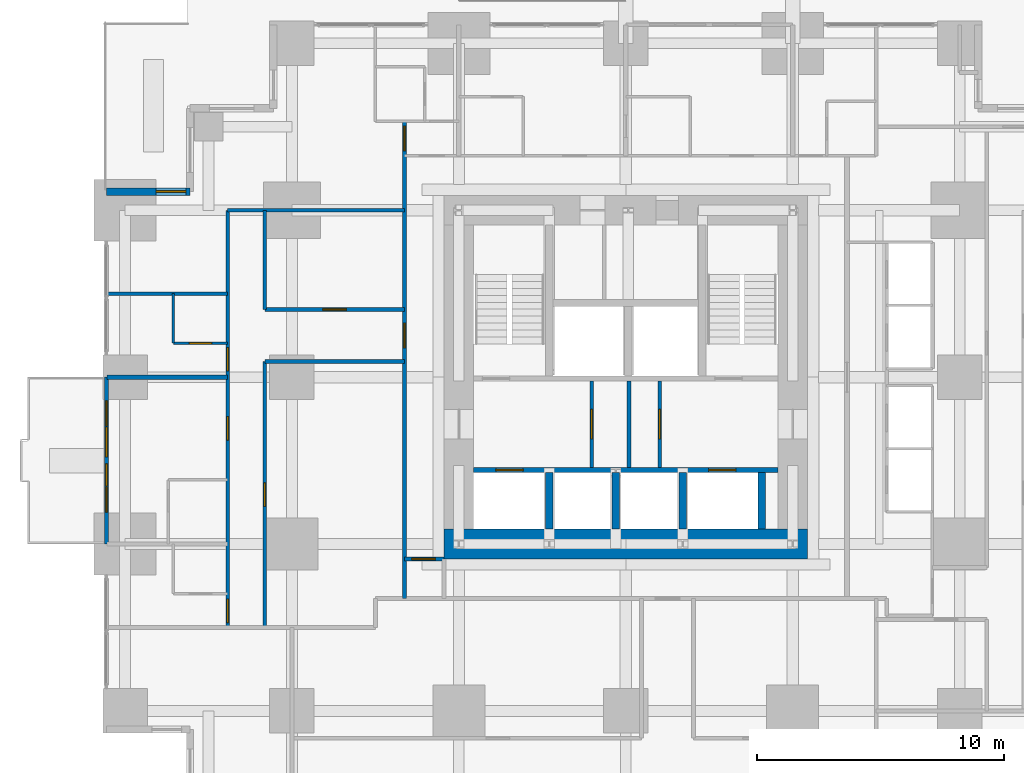
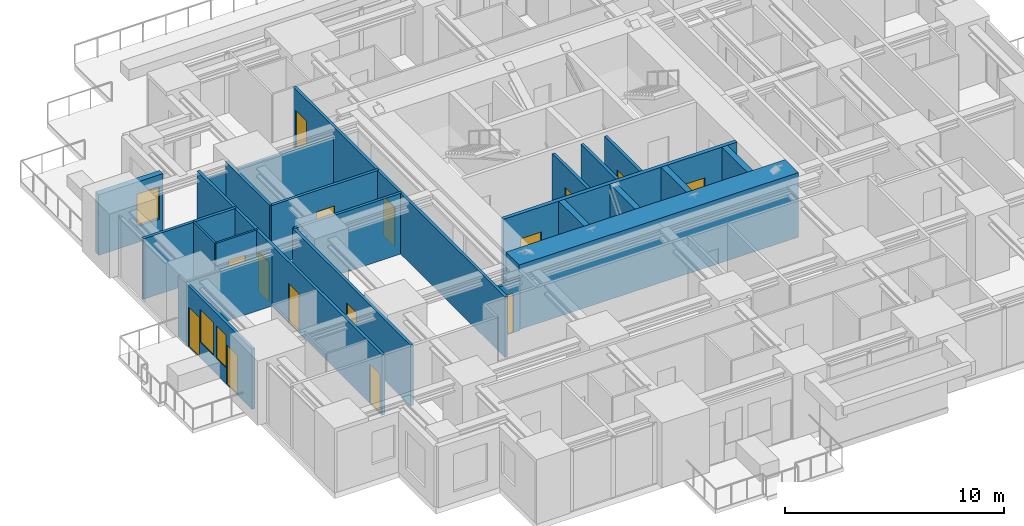
# One storey, part 7 of 12: 23 walls, 15 doors, 3 windows, 18 openings.
"""IFC4 building model written with IfcOpenShell, lengths in metres."""

from ifc_helpers import new_model, si_unit, direction, frame, frame_2d, origin, place, context, subcontext, project, spatial, rectangle, extrude, material, layer, layer_set, type_object, element, fill, save


model = new_model("IFC4")

# Units and contexts
model_context = context("Model", 3, precision=1e-05, world=origin(), true_north=direction((0.0, 1.0)))
body_context = subcontext(model_context, "Body", "Model", "MODEL_VIEW")
ifc_project = project(units=[si_unit("LENGTHUNIT", "METRE"), si_unit("AREAUNIT", "SQUARE_METRE"), si_unit("VOLUMEUNIT", "CUBIC_METRE"), si_unit("PLANEANGLEUNIT", "RADIAN"), si_unit("MASSUNIT", "GRAM", prefix="KILO")], contexts=[model_context])

# Site, building, storey
site_placement = place(None, origin())
site = spatial("IfcSite", under=ifc_project, at=site_placement, CompositionType="ELEMENT")
building_placement = place(site_placement, origin())
building = spatial("IfcBuilding", under=site, at=building_placement, Name="Nyansa Garden Tower", CompositionType="ELEMENT")
storey_placement = place(building_placement, frame((0.0, 0.0, 80.10009765625)))
storey = spatial("IfcBuildingStorey", under=building, at=storey_placement, Name="L21", CompositionType="ELEMENT", Elevation=80.10009765625)

# Wall
ifc_material_1 = material(Name="Dense blockwork, plastered both sides, 55 dB", Category="masonry")
ifc_layer_1 = layer(ifc_material_1, 0.175048828125)
ifc_layer_set_1 = layer_set([ifc_layer_1], Name="Acoustic party wall PW175")
wall_type_1 = type_object("IfcWallType", Name="Acoustic party wall PW175", PredefinedType="PARTITIONING", material=ifc_layer_set_1)
wall_1_placement = place(storey_placement, frame((-0.73388671875, 20.25, 0.0), z_axis=(0.0, 0.0, 1.0), x_axis=(1.0, 0.0, 0.0)))
element("IfcWall", 1, at=wall_1_placement, inside=storey, type_object=wall_type_1, Name="Party wall", PredefinedType="PARTITIONING", context=body_context, shape_type="SweptSolid", body=[
    extrude(rectangle(XDim=4.8837890625, YDim=0.175048828125, at=frame_2d((2.44189453125, 0.0))), origin(), (0.0, 0.0, 1.0), 2.876953125),
])

# Wall, openings, doors, windows
ifc_material_2 = material(Name="Black aluminium framed glazed screen", Category="aluminium")
ifc_layer_2 = layer(ifc_material_2, 0.14990234375)
ifc_layer_set_2 = layer_set([ifc_layer_2], Name="Balcony screen wall BW150")
wall_type_2 = type_object("IfcWallType", Name="Balcony screen wall BW150", PredefinedType="SOLIDWALL", material=ifc_layer_set_2)
wall_2_placement = place(storey_placement, frame((-0.75, 13.5, 0.0), z_axis=(0.0, 0.0, 1.0), x_axis=(0.0, 1.0, 0.0)))
wall_2 = element("IfcWall", 2, at=wall_2_placement, inside=storey, type_object=wall_type_2, Name="Glazed screen wall L21 W", PredefinedType="SOLIDWALL", context=body_context, shape_type="SweptSolid", body=[
    extrude(rectangle(XDim=6.75, YDim=0.14990234375, at=frame_2d((3.375, 0.0))), origin(), (0.0, 0.0, 1.0), 3.375),
])
opening_1_placement = place(wall_2_placement, frame((1.2958984375, 0.0, 0.0)))
opening_1 = element("IfcOpeningElement", 3, at=opening_1_placement, cuts=wall_2, Name="Opening D20", PredefinedType="OPENING", context=body_context, shape_type="SweptSolid", body=[
    extrude(rectangle(XDim=1.0, YDim=2.199951171875, at=frame_2d((0.5, 1.10009765625))), frame((0.0, 0.0849609375, 0.0), z_axis=(0.0, -1.0, 0.0), x_axis=(1.0, 0.0, 0.0)), (0.0, 0.0, 1.0), 0.169921875),
])
opening_2_placement = place(wall_2_placement, frame((2.341552734375, 0.0, 0.89990234375)))
opening_2 = element("IfcOpeningElement", 4, at=opening_2_placement, cuts=wall_2, Name="Opening W7", PredefinedType="OPENING", context=body_context, shape_type="SweptSolid", body=[
    extrude(rectangle(XDim=0.89990234375, YDim=1.800048828125, at=frame_2d((0.449951171875, 0.89990234375))), frame((0.0, 0.0849609375, 0.0), z_axis=(0.0, -1.0, 0.0), x_axis=(1.0, 0.0, 0.0)), (0.0, 0.0, 1.0), 0.169921875),
])
opening_3_placement = place(wall_2_placement, frame((4.78759765625, 0.0, 0.0)))
opening_3 = element("IfcOpeningElement", 5, at=opening_3_placement, cuts=wall_2, Name="Opening D20", PredefinedType="OPENING", context=body_context, shape_type="SweptSolid", body=[
    extrude(rectangle(XDim=1.0, YDim=2.199951171875, at=frame_2d((0.5, 1.10009765625))), frame((0.0, 0.0849609375, 0.0), z_axis=(0.0, -1.0, 0.0), x_axis=(1.0, 0.0, 0.0)), (0.0, 0.0, 1.0), 0.169921875),
])
opening_4_placement = place(wall_2_placement, frame((3.52490234375, 0.0, 0.89990234375)))
opening_4 = element("IfcOpeningElement", 6, at=opening_4_placement, cuts=wall_2, Name="Opening W6", PredefinedType="OPENING", context=body_context, shape_type="SweptSolid", body=[
    extrude(rectangle(XDim=1.199951171875, YDim=1.800048828125, at=frame_2d((0.60009765625, 0.89990234375))), frame((0.0, 0.0849609375, 0.0), z_axis=(0.0, -1.0, 0.0), x_axis=(1.0, 0.0, 0.0)), (0.0, 0.0, 1.0), 0.169921875),
])
ifc_material_3 = material(Name="Black aluminium framed glazed door", Category="aluminium")
door_type_1 = type_object("IfcDoorType", Name="Balcony door D20 1000x2200", OperationType="NOTDEFINED", PredefinedType="DOOR", material=ifc_material_3)
door_1_placement = place(opening_1_placement, origin())
door_1 = element("IfcDoor", 7, at=door_1_placement, inside=storey, type_object=door_type_1, Name="Balcony door L21", OperationType="SINGLE_SWING_LEFT", OverallHeight=2.199951171875, OverallWidth=1.0, PredefinedType="DOOR", context=body_context, shape_type="SweptSolid", body=[
    extrude(rectangle(XDim=1.0, YDim=2.199951171875, at=frame_2d((0.5, 1.10009765625))), frame((0.0, 0.02490234375, 0.0), z_axis=(0.0, -1.0, 0.0), x_axis=(1.0, 0.0, 0.0)), (0.0, 0.0, 1.0), 0.050048828125),
])
fill(opening_1, door_1)
door_2_placement = place(opening_3_placement, origin())
door_2 = element("IfcDoor", 8, at=door_2_placement, inside=storey, type_object=door_type_1, Name="Balcony door L21", OperationType="SINGLE_SWING_RIGHT", OverallHeight=2.199951171875, OverallWidth=1.0, PredefinedType="DOOR", context=body_context, shape_type="SweptSolid", body=[
    extrude(rectangle(XDim=1.0, YDim=2.199951171875, at=frame_2d((0.5, 1.10009765625))), frame((0.0, 0.02490234375, 0.0), z_axis=(0.0, -1.0, 0.0), x_axis=(1.0, 0.0, 0.0)), (0.0, 0.0, 1.0), 0.050048828125),
])
fill(opening_3, door_2)
ifc_material_4 = material(Name="Black aluminium frame, dark tinted double glazing", Category="aluminium")
window_type_1 = type_object("IfcWindowType", Name="Balcony window W6 1200x1800", PartitioningType="SINGLE_PANEL", PredefinedType="WINDOW", material=ifc_material_4)
window_1_placement = place(opening_4_placement, origin())
window_1 = element("IfcWindow", 9, at=window_1_placement, inside=storey, type_object=window_type_1, Name="Window L21", OverallHeight=1.800048828125, OverallWidth=1.199951171875, PartitioningType="SINGLE_PANEL", PredefinedType="WINDOW", context=body_context, shape_type="SweptSolid", body=[
    extrude(rectangle(XDim=1.199951171875, YDim=1.800048828125, at=frame_2d((0.60009765625, 0.89990234375))), frame((0.0, 0.030029296875, 0.0), z_axis=(0.0, -1.0, 0.0), x_axis=(1.0, 0.0, 0.0)), (0.0, 0.0, 1.0), 0.06005859375),
])
fill(opening_4, window_1)
ifc_material_5 = material(Name="Black aluminium frame, dark tinted double glazing", Category="aluminium")
window_type_2 = type_object("IfcWindowType", Name="Balcony window W7 900x1800", PartitioningType="SINGLE_PANEL", PredefinedType="WINDOW", material=ifc_material_5)
window_2_placement = place(opening_2_placement, origin())
window_2 = element("IfcWindow", 10, at=window_2_placement, inside=storey, type_object=window_type_2, Name="Window L21", OverallHeight=1.800048828125, OverallWidth=0.89990234375, PartitioningType="SINGLE_PANEL", PredefinedType="WINDOW", context=body_context, shape_type="SweptSolid", body=[
    extrude(rectangle(XDim=0.89990234375, YDim=1.800048828125, at=frame_2d((0.449951171875, 0.89990234375))), frame((0.0, 0.030029296875, 0.0), z_axis=(0.0, -1.0, 0.0), x_axis=(1.0, 0.0, 0.0)), (0.0, 0.0, 1.0), 0.06005859375),
])
fill(opening_2, window_2)

# Wall, openings, doors
ifc_material_6 = material(Name="Concrete C70/85", Category="concrete")
ifc_layer_3 = layer(ifc_material_6, 0.199951171875)
ifc_layer_set_3 = layer_set([ifc_layer_3], Name="Core inner wall CI200")
wall_type_3 = type_object("IfcWallType", Name="Core inner wall CI200", PredefinedType="SHEAR", material=ifc_layer_set_3)
wall_3_placement = place(storey_placement, frame((14.10009765625, 16.5, 0.0), z_axis=(0.0, 0.0, 1.0), x_axis=(1.0, 0.0, 0.0)))
wall_3 = element("IfcWall", 11, at=wall_3_placement, inside=storey, type_object=wall_type_3, Name="Core inner wall L21", PredefinedType="SHEAR", context=body_context, shape_type="SweptSolid", body=[
    extrude(rectangle(XDim=12.2998046875, YDim=0.199951171875, at=frame_2d((6.14990234375, 0.0))), origin(), (0.0, 0.0, 1.0), 3.599853515625),
])
opening_5_placement = place(wall_3_placement, frame((0.89990234375, 0.0, 0.0)))
opening_5 = element("IfcOpeningElement", 12, at=opening_5_placement, cuts=wall_3, Name="Opening LD-F", PredefinedType="OPENING", context=body_context, shape_type="SweptSolid", body=[
    extrude(rectangle(XDim=1.10009765625, YDim=2.199951171875, at=frame_2d((0.550048828125, 1.10009765625))), frame((0.0, 0.10986328125, 0.0), z_axis=(0.0, -1.0, 0.0), x_axis=(1.0, 0.0, 0.0)), (0.0, 0.0, 1.0), 0.219970703125),
])
opening_6_placement = place(wall_3_placement, frame((9.5, 0.0, 0.0)))
opening_6 = element("IfcOpeningElement", 13, at=opening_6_placement, cuts=wall_3, Name="Opening LD-F", PredefinedType="OPENING", context=body_context, shape_type="SweptSolid", body=[
    extrude(rectangle(XDim=1.10009765625, YDim=2.199951171875, at=frame_2d((0.550048828125, 1.10009765625))), frame((0.0, 0.10986328125, 0.0), z_axis=(0.0, -1.0, 0.0), x_axis=(1.0, 0.0, 0.0)), (0.0, 0.0, 1.0), 0.219970703125),
])
ifc_material_7 = material(Name="Stainless steel centre-opening landing door of the firefighting lift, EN 81-72, E 120", Category="steel")
door_type_2 = type_object("IfcDoorType", Name="Lift landing door LD-F 1100x2200", OperationType="DOUBLE_DOOR_SLIDING", PredefinedType="DOOR", material=ifc_material_7)
door_3_placement = place(opening_5_placement, origin())
door_3 = element("IfcDoor", 14, at=door_3_placement, inside=storey, type_object=door_type_2, Name="Landing door FF1", OperationType="DOUBLE_DOOR_SLIDING", OverallHeight=2.199951171875, OverallWidth=1.10009765625, PredefinedType="DOOR", context=body_context, shape_type="SweptSolid", body=[
    extrude(rectangle(XDim=1.10009765625, YDim=2.199951171875, at=frame_2d((0.550048828125, 1.10009765625))), frame((0.0, 0.02490234375, 0.0), z_axis=(0.0, -1.0, 0.0), x_axis=(1.0, 0.0, 0.0)), (0.0, 0.0, 1.0), 0.050048828125),
])
fill(opening_5, door_3)
door_4_placement = place(opening_6_placement, origin())
door_4 = element("IfcDoor", 15, at=door_4_placement, inside=storey, type_object=door_type_2, Name="Landing door FF2", OperationType="DOUBLE_DOOR_SLIDING", OverallHeight=2.199951171875, OverallWidth=1.10009765625, PredefinedType="DOOR", context=body_context, shape_type="SweptSolid", body=[
    extrude(rectangle(XDim=1.10009765625, YDim=2.199951171875, at=frame_2d((0.550048828125, 1.10009765625))), frame((0.0, 0.02490234375, 0.0), z_axis=(0.0, -1.0, 0.0), x_axis=(1.0, 0.0, 0.0)), (0.0, 0.0, 1.0), 0.050048828125),
])
fill(opening_6, door_4)

# Walls
ifc_material_8 = material(Name="Concrete C70/85", Category="concrete")
ifc_layer_4 = layer(ifc_material_8, 0.300048828125)
ifc_layer_set_4 = layer_set([ifc_layer_4], Name="Core inner wall CI300")
wall_type_4 = type_object("IfcWallType", Name="Core inner wall CI300", PredefinedType="SHEAR", material=ifc_layer_set_4)
for number, where, z_axis, x_axis, name in (
    (16, (17.14990234375, 14.10009765625, 0.0), (0.0, 0.0, 1.0), (0.0, 1.0, 0.0), "Core inner wall L21"),
    (17, (19.85009765625, 14.10009765625, 0.0), (0.0, 0.0, 1.0), (0.0, 1.0, 0.0), "Core inner wall L21"),
    (18, (22.550048828125, 14.10009765625, 0.0), (0.0, 0.0, 1.0), (0.0, 1.0, 0.0), "Core inner wall L21"),
    (19, (25.75, 14.10009765625, 0.0), (0.0, 0.0, 1.0), (0.0, 1.0, 0.0), "Core inner wall L21"),
):
    element("IfcWall", number, at=place(storey_placement, frame(where, z_axis=z_axis, x_axis=x_axis)), inside=storey, type_object=wall_type_4, Name=name, PredefinedType="SHEAR", context=body_context, shape_type="SweptSolid", body=[
        extrude(rectangle(XDim=2.2998046875, YDim=0.300048828125, at=frame_2d((1.14990234375, 0.0))), origin(), (0.0, 0.0, 1.0), 3.599853515625),
    ])
ifc_material_9 = material(Name="Concrete C80/95", Category="concrete")
ifc_layer_5 = layer(ifc_material_9, 1.199951171875)
ifc_layer_set_5 = layer_set([ifc_layer_5], Name="Core wall CW1200")
wall_type_5 = type_object("IfcWallType", Name="Core wall CW1200", PredefinedType="SHEAR", material=ifc_layer_set_5)
wall_4_placement = place(storey_placement, frame((12.89990234375, 13.5, 0.0), z_axis=(0.0, 0.0, 1.0), x_axis=(1.0, 0.0, 0.0)))
element("IfcWall", 20, at=wall_4_placement, inside=storey, type_object=wall_type_5, Name="Core wall S L21", PredefinedType="SHEAR", context=body_context, shape_type="SweptSolid", body=[
    extrude(rectangle(XDim=14.7001953125, YDim=1.199951171875, at=frame_2d((7.35009765625, 0.0))), origin(), (0.0, 0.0, 1.0), 3.599853515625),
])

# Wall, opening, door
ifc_material_10 = material(Name="Blockwork, plastered both sides", Category="masonry")
ifc_layer_6 = layer(ifc_material_10, 0.14990234375)
ifc_layer_set_6 = layer_set([ifc_layer_6], Name="Partition PW150")
wall_type_6 = type_object("IfcWallType", Name="Partition PW150", PredefinedType="PARTITIONING", material=ifc_layer_set_6)
wall_5_placement = place(storey_placement, frame((18.875, 16.60009765625, 0.0), z_axis=(0.0, 0.0, 1.0), x_axis=(0.0, 1.0, 0.0)))
wall_5 = element("IfcWall", 21, at=wall_5_placement, inside=storey, type_object=wall_type_6, Name="Partition", PredefinedType="PARTITIONING", context=body_context, shape_type="SweptSolid", body=[
    extrude(rectangle(XDim=3.5, YDim=0.14990234375, at=frame_2d((1.75, 0.0))), origin(), (0.0, 0.0, 1.0), 3.375),
])
opening_7_placement = place(wall_5_placement, frame((1.14990234375, 0.0, 0.0)))
opening_7 = element("IfcOpeningElement", 22, at=opening_7_placement, cuts=wall_5, Name="Opening D06", PredefinedType="OPENING", context=body_context, shape_type="SweptSolid", body=[
    extrude(rectangle(XDim=1.199951171875, YDim=2.199951171875, at=frame_2d((0.60009765625, 1.10009765625))), frame((0.0, 0.0849609375, 0.0), z_axis=(0.0, -1.0, 0.0), x_axis=(1.0, 0.0, 0.0)), (0.0, 0.0, 1.0), 0.169921875),
])
ifc_material_11 = material(Name="Steel door, 120 minute fire resisting", Category="steel")
door_type_3 = type_object("IfcDoorType", Name="Lobby door D06 1200x2200", OperationType="DOUBLE_DOOR_SINGLE_SWING", PredefinedType="DOOR", material=ifc_material_11)
door_5_placement = place(opening_7_placement, origin())
door_5 = element("IfcDoor", 23, at=door_5_placement, inside=storey, type_object=door_type_3, Name="Passenger lift lobby door", OperationType="DOUBLE_DOOR_SINGLE_SWING", OverallHeight=2.199951171875, OverallWidth=1.199951171875, PredefinedType="DOOR", context=body_context, shape_type="SweptSolid", body=[
    extrude(rectangle(XDim=1.199951171875, YDim=2.199951171875, at=frame_2d((0.60009765625, 1.10009765625))), frame((0.0, 0.02490234375, 0.0), z_axis=(0.0, -1.0, 0.0), x_axis=(1.0, 0.0, 0.0)), (0.0, 0.0, 1.0), 0.050048828125),
])
fill(opening_7, door_5)

wall_6_placement = place(storey_placement, frame((21.625, 16.60009765625, 0.0), z_axis=(0.0, 0.0, 1.0), x_axis=(0.0, 1.0, 0.0)))
wall_6 = element("IfcWall", 24, at=wall_6_placement, inside=storey, type_object=wall_type_6, Name="Partition", PredefinedType="PARTITIONING", context=body_context, shape_type="SweptSolid", body=[
    extrude(rectangle(XDim=3.5, YDim=0.14990234375, at=frame_2d((1.75, 0.0))), origin(), (0.0, 0.0, 1.0), 3.375),
])
opening_8_placement = place(wall_6_placement, frame((1.14990234375, 0.0, 0.0)))
opening_8 = element("IfcOpeningElement", 25, at=opening_8_placement, cuts=wall_6, Name="Opening D06", PredefinedType="OPENING", context=body_context, shape_type="SweptSolid", body=[
    extrude(rectangle(XDim=1.199951171875, YDim=2.199951171875, at=frame_2d((0.60009765625, 1.10009765625))), frame((0.0, 0.0849609375, 0.0), z_axis=(0.0, -1.0, 0.0), x_axis=(1.0, 0.0, 0.0)), (0.0, 0.0, 1.0), 0.169921875),
])
door_6_placement = place(opening_8_placement, origin())
door_6 = element("IfcDoor", 26, at=door_6_placement, inside=storey, type_object=door_type_3, Name="Passenger lift lobby door", OperationType="DOUBLE_DOOR_SINGLE_SWING", OverallHeight=2.199951171875, OverallWidth=1.199951171875, PredefinedType="DOOR", context=body_context, shape_type="SweptSolid", body=[
    extrude(rectangle(XDim=1.199951171875, YDim=2.199951171875, at=frame_2d((0.60009765625, 1.10009765625))), frame((0.0, 0.02490234375, 0.0), z_axis=(0.0, -1.0, 0.0), x_axis=(1.0, 0.0, 0.0)), (0.0, 0.0, 1.0), 0.050048828125),
])
fill(opening_8, door_6)

# Walls
wall_7_placement = place(storey_placement, frame((20.3798828125, 16.60009765625, 0.0), z_axis=(0.0, 0.0, 1.0), x_axis=(0.0, 1.0, 0.0)))
element("IfcWall", 27, at=wall_7_placement, inside=storey, type_object=wall_type_6, Name="Partition", PredefinedType="PARTITIONING", context=body_context, shape_type="SweptSolid", body=[
    extrude(rectangle(XDim=3.5, YDim=0.14990234375, at=frame_2d((1.75, 0.0))), origin(), (0.0, 0.0, 1.0), 3.375),
])
wall_8_placement = place(storey_placement, frame((-0.73388671875, 23.625, 0.0), z_axis=(0.0, 0.0, 1.0), x_axis=(1.0, 0.0, 0.0)))
element("IfcWall", 28, at=wall_8_placement, inside=storey, type_object=wall_type_6, Name="Partition", PredefinedType="PARTITIONING", context=body_context, shape_type="SweptSolid", body=[
    extrude(rectangle(XDim=4.8837890625, YDim=0.14990234375, at=frame_2d((2.44189453125, 0.0))), origin(), (0.0, 0.0, 1.0), 3.375),
])

# Wall, openings, doors
wall_9_placement = place(storey_placement, frame((4.14990234375, 10.125, 0.0), z_axis=(0.0, 0.0, 1.0), x_axis=(0.0, 1.0, 0.0)))
wall_9 = element("IfcWall", 29, at=wall_9_placement, inside=storey, type_object=wall_type_6, Name="Partition", PredefinedType="PARTITIONING", context=body_context, shape_type="SweptSolid", body=[
    extrude(rectangle(XDim=16.875, YDim=0.14990234375, at=frame_2d((8.4375, 0.0))), origin(), (0.0, 0.0, 1.0), 3.375),
])
opening_9_placement = place(wall_9_placement, frame((7.574951171875, 0.0, 0.0)))
opening_9 = element("IfcOpeningElement", 30, at=opening_9_placement, cuts=wall_9, Name="Opening D14", PredefinedType="OPENING", context=body_context, shape_type="SweptSolid", body=[
    extrude(rectangle(XDim=0.949951171875, YDim=2.199951171875, at=frame_2d((0.47509765625, 1.10009765625))), frame((0.0, 0.0849609375, 0.0), z_axis=(0.0, -1.0, 0.0), x_axis=(1.0, 0.0, 0.0)), (0.0, 0.0, 1.0), 0.169921875),
])
opening_10_placement = place(wall_9_placement, frame((0.199951171875, 0.0, 0.0)))
opening_10 = element("IfcOpeningElement", 31, at=opening_10_placement, cuts=wall_9, Name="Opening D14", PredefinedType="OPENING", context=body_context, shape_type="SweptSolid", body=[
    extrude(rectangle(XDim=0.949951171875, YDim=2.199951171875, at=frame_2d((0.47509765625, 1.10009765625))), frame((0.0, 0.0849609375, 0.0), z_axis=(0.0, -1.0, 0.0), x_axis=(1.0, 0.0, 0.0)), (0.0, 0.0, 1.0), 0.169921875),
])
opening_11_placement = place(wall_9_placement, frame((10.375, 0.0, 0.0)))
opening_11 = element("IfcOpeningElement", 32, at=opening_11_placement, cuts=wall_9, Name="Opening D14", PredefinedType="OPENING", context=body_context, shape_type="SweptSolid", body=[
    extrude(rectangle(XDim=0.949951171875, YDim=2.199951171875, at=frame_2d((0.47509765625, 1.10009765625))), frame((0.0, 0.0849609375, 0.0), z_axis=(0.0, -1.0, 0.0), x_axis=(1.0, 0.0, 0.0)), (0.0, 0.0, 1.0), 0.169921875),
])
ifc_material_12 = material(Name="Timber flush door, 60 minute fire resisting, self-closing", Category="wood")
door_type_4 = type_object("IfcDoorType", Name="Studio entrance door D14 950x2200", OperationType="SINGLE_SWING_LEFT", PredefinedType="DOOR", material=ifc_material_12)
door_7_placement = place(opening_9_placement, origin())
door_7 = element("IfcDoor", 33, at=door_7_placement, inside=storey, type_object=door_type_4, Name="Door L21-049", OperationType="SINGLE_SWING_LEFT", OverallHeight=2.199951171875, OverallWidth=0.949951171875, PredefinedType="DOOR", context=body_context, shape_type="SweptSolid", body=[
    extrude(rectangle(XDim=0.949951171875, YDim=2.199951171875, at=frame_2d((0.47509765625, 1.10009765625))), frame((0.0, 0.02490234375, 0.0), z_axis=(0.0, -1.0, 0.0), x_axis=(1.0, 0.0, 0.0)), (0.0, 0.0, 1.0), 0.050048828125),
])
fill(opening_9, door_7)
door_8_placement = place(opening_10_placement, origin())
door_8 = element("IfcDoor", 34, at=door_8_placement, inside=storey, type_object=door_type_4, Name="Door L21-051", OperationType="SINGLE_SWING_LEFT", OverallHeight=2.199951171875, OverallWidth=0.949951171875, PredefinedType="DOOR", context=body_context, shape_type="SweptSolid", body=[
    extrude(rectangle(XDim=0.949951171875, YDim=2.199951171875, at=frame_2d((0.47509765625, 1.10009765625))), frame((0.0, 0.02490234375, 0.0), z_axis=(0.0, -1.0, 0.0), x_axis=(1.0, 0.0, 0.0)), (0.0, 0.0, 1.0), 0.050048828125),
])
fill(opening_10, door_8)
door_9_placement = place(opening_11_placement, origin())
door_9 = element("IfcDoor", 35, at=door_9_placement, inside=storey, type_object=door_type_4, Name="Door L21-053", OperationType="SINGLE_SWING_LEFT", OverallHeight=2.199951171875, OverallWidth=0.949951171875, PredefinedType="DOOR", context=body_context, shape_type="SweptSolid", body=[
    extrude(rectangle(XDim=0.949951171875, YDim=2.199951171875, at=frame_2d((0.47509765625, 1.10009765625))), frame((0.0, 0.02490234375, 0.0), z_axis=(0.0, -1.0, 0.0), x_axis=(1.0, 0.0, 0.0)), (0.0, 0.0, 1.0), 0.050048828125),
])
fill(opening_11, door_9)

# Wall
wall_10_placement = place(storey_placement, frame((4.14990234375, 27.0, 0.0), z_axis=(0.0, 0.0, 1.0), x_axis=(1.0, 0.0, 0.0)))
element("IfcWall", 36, at=wall_10_placement, inside=storey, type_object=wall_type_6, Name="Partition", PredefinedType="PARTITIONING", context=body_context, shape_type="SweptSolid", body=[
    extrude(rectangle(XDim=7.150146484375, YDim=0.14990234375, at=frame_2d((3.5751953125, 0.0))), origin(), (0.0, 0.0, 1.0), 2.805908203125),
])

# Wall, opening, door
wall_11_placement = place(storey_placement, frame((5.64990234375, 10.125, 0.0), z_axis=(0.0, 0.0, 1.0), x_axis=(0.0, 1.0, 0.0)))
wall_11 = element("IfcWall", 37, at=wall_11_placement, inside=storey, type_object=wall_type_6, Name="Partition", PredefinedType="PARTITIONING", context=body_context, shape_type="SweptSolid", body=[
    extrude(rectangle(XDim=10.762451171875, YDim=0.14990234375, at=frame_2d((5.38134765625, 0.0))), origin(), (0.0, 0.0, 1.0), 3.375),
])
opening_12_placement = place(wall_11_placement, frame((4.89990234375, 0.0, 0.0)))
opening_12 = element("IfcOpeningElement", 38, at=opening_12_placement, cuts=wall_11, Name="Opening D01", PredefinedType="OPENING", context=body_context, shape_type="SweptSolid", body=[
    extrude(rectangle(XDim=0.949951171875, YDim=2.199951171875, at=frame_2d((0.47509765625, 1.10009765625))), frame((0.0, 0.0849609375, 0.0), z_axis=(0.0, -1.0, 0.0), x_axis=(1.0, 0.0, 0.0)), (0.0, 0.0, 1.0), 0.169921875),
])
ifc_material_13 = material(Name="Timber flush door, 30 minute fire resisting", Category="wood")
door_type_5 = type_object("IfcDoorType", Name="Bedroom door D01 950x2200", OperationType="SINGLE_SWING_LEFT", PredefinedType="DOOR", material=ifc_material_13)
door_10_placement = place(opening_12_placement, origin())
door_10 = element("IfcDoor", 39, at=door_10_placement, inside=storey, type_object=door_type_5, Name="Door L21-056", OperationType="SINGLE_SWING_LEFT", OverallHeight=2.199951171875, OverallWidth=0.949951171875, PredefinedType="DOOR", context=body_context, shape_type="SweptSolid", body=[
    extrude(rectangle(XDim=0.949951171875, YDim=2.199951171875, at=frame_2d((0.47509765625, 1.10009765625))), frame((0.0, 0.02490234375, 0.0), z_axis=(0.0, -1.0, 0.0), x_axis=(1.0, 0.0, 0.0)), (0.0, 0.0, 1.0), 0.050048828125),
])
fill(opening_12, door_10)

# Walls
wall_12_placement = place(storey_placement, frame((5.64990234375, 20.886962890625, 0.0), z_axis=(0.0, 0.0, 1.0), x_axis=(1.0, 0.0, 0.0)))
element("IfcWall", 40, at=wall_12_placement, inside=storey, type_object=wall_type_6, Name="Partition", PredefinedType="PARTITIONING", context=body_context, shape_type="SweptSolid", body=[
    extrude(rectangle(XDim=5.650146484375, YDim=0.14990234375, at=frame_2d((2.8251953125, 0.0))), origin(), (0.0, 0.0, 1.0), 3.375),
])
wall_13_placement = place(storey_placement, frame((5.64990234375, 22.987548828125, 0.0), z_axis=(0.0, 0.0, 1.0), x_axis=(0.0, 1.0, 0.0)))
element("IfcWall", 41, at=wall_13_placement, inside=storey, type_object=wall_type_6, Name="Partition", PredefinedType="PARTITIONING", context=body_context, shape_type="SweptSolid", body=[
    extrude(rectangle(XDim=4.012451171875, YDim=0.14990234375, at=frame_2d((2.00634765625, 0.0))), origin(), (0.0, 0.0, 1.0), 3.375),
])

# Wall, opening, door
wall_14_placement = place(storey_placement, frame((5.64990234375, 22.988037109375, 0.0), z_axis=(0.0, 0.0, 1.0), x_axis=(1.0, 0.0, 0.0)))
wall_14 = element("IfcWall", 42, at=wall_14_placement, inside=storey, type_object=wall_type_6, Name="Partition", PredefinedType="PARTITIONING", context=body_context, shape_type="SweptSolid", body=[
    extrude(rectangle(XDim=5.650146484375, YDim=0.14990234375, at=frame_2d((2.8251953125, 0.0))), origin(), (0.0, 0.0, 1.0), 3.375),
])
opening_13_placement = place(wall_14_placement, frame((2.35009765625, 0.0, 0.0)))
opening_13 = element("IfcOpeningElement", 43, at=opening_13_placement, cuts=wall_14, Name="Opening D01", PredefinedType="OPENING", context=body_context, shape_type="SweptSolid", body=[
    extrude(rectangle(XDim=0.949951171875, YDim=2.199951171875, at=frame_2d((0.47509765625, 1.10009765625))), frame((0.0, 0.0849609375, 0.0), z_axis=(0.0, -1.0, 0.0), x_axis=(1.0, 0.0, 0.0)), (0.0, 0.0, 1.0), 0.169921875),
])
door_11_placement = place(opening_13_placement, origin())
door_11 = element("IfcDoor", 44, at=door_11_placement, inside=storey, type_object=door_type_5, Name="Door L21-057", OperationType="SINGLE_SWING_LEFT", OverallHeight=2.199951171875, OverallWidth=0.949951171875, PredefinedType="DOOR", context=body_context, shape_type="SweptSolid", body=[
    extrude(rectangle(XDim=0.949951171875, YDim=2.199951171875, at=frame_2d((0.47509765625, 1.10009765625))), frame((0.0, 0.02490234375, 0.0), z_axis=(0.0, -1.0, 0.0), x_axis=(1.0, 0.0, 0.0)), (0.0, 0.0, 1.0), 0.050048828125),
])
fill(opening_13, door_11)

# Wall, openings, doors
wall_15_placement = place(storey_placement, frame((11.300048828125, 11.300048828125, 0.0), z_axis=(0.0, 0.0, 1.0), x_axis=(0.0, 1.0, 0.0)))
wall_15 = element("IfcWall", 45, at=wall_15_placement, inside=storey, type_object=wall_type_6, Name="Partition", PredefinedType="PARTITIONING", context=body_context, shape_type="SweptSolid", body=[
    extrude(rectangle(XDim=19.300048828125, YDim=0.14990234375, at=frame_2d((9.64990234375, 0.0))), origin(), (0.0, 0.0, 1.0), 3.375),
])
opening_14_placement = place(wall_15_placement, frame((18.10009765625, 0.0, 0.0)))
opening_14 = element("IfcOpeningElement", 46, at=opening_14_placement, cuts=wall_15, Name="Opening D03", PredefinedType="OPENING", context=body_context, shape_type="SweptSolid", body=[
    extrude(rectangle(XDim=1.0, YDim=2.199951171875, at=frame_2d((0.5, 1.10009765625))), frame((0.0, 0.0849609375, 0.0), z_axis=(0.0, -1.0, 0.0), x_axis=(1.0, 0.0, 0.0)), (0.0, 0.0, 1.0), 0.169921875),
])
opening_15_placement = place(wall_15_placement, frame((10.137451171875, 0.0, 0.0)))
opening_15 = element("IfcOpeningElement", 47, at=opening_15_placement, cuts=wall_15, Name="Opening D03", PredefinedType="OPENING", context=body_context, shape_type="SweptSolid", body=[
    extrude(rectangle(XDim=1.0, YDim=2.199951171875, at=frame_2d((0.5, 1.10009765625))), frame((0.0, 0.0849609375, 0.0), z_axis=(0.0, -1.0, 0.0), x_axis=(1.0, 0.0, 0.0)), (0.0, 0.0, 1.0), 0.169921875),
])
ifc_material_14 = material(Name="Timber flush door, 60 minute fire resisting", Category="wood")
door_type_6 = type_object("IfcDoorType", Name="Cluster entrance door D03 1000x2200", OperationType="SINGLE_SWING_LEFT", PredefinedType="DOOR", material=ifc_material_14)
door_12_placement = place(opening_14_placement, origin())
door_12 = element("IfcDoor", 48, at=door_12_placement, inside=storey, type_object=door_type_6, Name="Door L21-048", OperationType="SINGLE_SWING_LEFT", OverallHeight=2.199951171875, OverallWidth=1.0, PredefinedType="DOOR", context=body_context, shape_type="SweptSolid", body=[
    extrude(rectangle(XDim=1.0, YDim=2.199951171875, at=frame_2d((0.5, 1.10009765625))), frame((0.0, 0.02490234375, 0.0), z_axis=(0.0, -1.0, 0.0), x_axis=(1.0, 0.0, 0.0)), (0.0, 0.0, 1.0), 0.050048828125),
])
fill(opening_14, door_12)
door_13_placement = place(opening_15_placement, origin())
door_13 = element("IfcDoor", 49, at=door_13_placement, inside=storey, type_object=door_type_6, Name="Door L21-055", OperationType="SINGLE_SWING_LEFT", OverallHeight=2.199951171875, OverallWidth=1.0, PredefinedType="DOOR", context=body_context, shape_type="SweptSolid", body=[
    extrude(rectangle(XDim=1.0, YDim=2.199951171875, at=frame_2d((0.5, 1.10009765625))), frame((0.0, 0.02490234375, 0.0), z_axis=(0.0, -1.0, 0.0), x_axis=(1.0, 0.0, 0.0)), (0.0, 0.0, 1.0), 0.050048828125),
])
fill(opening_15, door_13)

# Wall, opening, door
wall_16_placement = place(storey_placement, frame((11.300048828125, 12.89990234375, 0.0), z_axis=(0.0, 0.0, 1.0), x_axis=(1.0, 0.0, 0.0)))
wall_16 = element("IfcWall", 50, at=wall_16_placement, inside=storey, type_object=wall_type_6, Name="Partition", PredefinedType="PARTITIONING", context=body_context, shape_type="SweptSolid", body=[
    extrude(rectangle(XDim=1.599853515625, YDim=0.14990234375, at=frame_2d((0.7998046875, 0.0))), origin(), (0.0, 0.0, 1.0), 2.805908203125),
])
opening_16_placement = place(wall_16_placement, frame((0.300048828125, 0.0, 0.0)))
opening_16 = element("IfcOpeningElement", 51, at=opening_16_placement, cuts=wall_16, Name="Opening D01", PredefinedType="OPENING", context=body_context, shape_type="SweptSolid", body=[
    extrude(rectangle(XDim=0.949951171875, YDim=2.199951171875, at=frame_2d((0.47509765625, 1.10009765625))), frame((0.0, 0.0849609375, 0.0), z_axis=(0.0, -1.0, 0.0), x_axis=(1.0, 0.0, 0.0)), (0.0, 0.0, 1.0), 0.169921875),
])
door_14_placement = place(opening_16_placement, origin())
door_14 = element("IfcDoor", 52, at=door_14_placement, inside=storey, type_object=door_type_5, Name="Door L21-017", OperationType="SINGLE_SWING_LEFT", OverallHeight=2.199951171875, OverallWidth=0.949951171875, PredefinedType="DOOR", context=body_context, shape_type="SweptSolid", body=[
    extrude(rectangle(XDim=0.949951171875, YDim=2.199951171875, at=frame_2d((0.47509765625, 1.10009765625))), frame((0.0, 0.02490234375, 0.0), z_axis=(0.0, -1.0, 0.0), x_axis=(1.0, 0.0, 0.0)), (0.0, 0.0, 1.0), 0.050048828125),
])
fill(opening_16, door_14)

# Wall, opening, window
ifc_material_15 = material(Name="Turquoise glazed tile on concrete blockwork", Category="masonry")
ifc_layer_7 = layer(ifc_material_15, 0.300048828125)
ifc_layer_set_7 = layer_set([ifc_layer_7], Name="Tiled corner wall TW300")
wall_type_7 = type_object("IfcWallType", Name="Tiled corner wall TW300", PredefinedType="SOLIDWALL", material=ifc_layer_set_7)
wall_17_placement = place(storey_placement, frame((2.625, 27.75, 0.0), z_axis=(0.0, 0.0, 1.0), x_axis=(-1.0, 0.0, 0.0)))
wall_17 = element("IfcWall", 53, at=wall_17_placement, inside=storey, type_object=wall_type_7, Name="Tiled corner wall L21", PredefinedType="SOLIDWALL", context=body_context, shape_type="SweptSolid", body=[
    extrude(rectangle(XDim=3.375, YDim=0.300048828125, at=frame_2d((1.6875, 0.0))), origin(), (0.0, 0.0, 1.0), 3.375),
])
opening_17_placement = place(wall_17_placement, frame((0.16748046875, 0.0, 0.89990234375)))
opening_17 = element("IfcOpeningElement", 54, at=opening_17_placement, cuts=wall_17, Name="Opening W4", PredefinedType="OPENING", context=body_context, shape_type="SweptSolid", body=[
    extrude(rectangle(XDim=1.199951171875, YDim=1.800048828125, at=frame_2d((0.60009765625, 0.89990234375))), frame((0.0, 0.159912109375, 0.0), z_axis=(0.0, -1.0, 0.0), x_axis=(1.0, 0.0, 0.0)), (0.0, 0.0, 1.0), 0.320068359375),
])
ifc_material_16 = material(Name="Black aluminium frame, dark tinted double glazing", Category="aluminium")
window_type_3 = type_object("IfcWindowType", Name="Window W4 1200x1800", PartitioningType="SINGLE_PANEL", PredefinedType="WINDOW", material=ifc_material_16)
window_3_placement = place(opening_17_placement, origin())
window_3 = element("IfcWindow", 55, at=window_3_placement, inside=storey, type_object=window_type_3, Name="Corner window L21", OverallHeight=1.800048828125, OverallWidth=1.199951171875, PartitioningType="SINGLE_PANEL", PredefinedType="WINDOW", context=body_context, shape_type="SweptSolid", body=[
    extrude(rectangle(XDim=1.199951171875, YDim=1.800048828125, at=frame_2d((0.60009765625, 0.89990234375))), frame((0.0, 0.030029296875, 0.0), z_axis=(0.0, -1.0, 0.0), x_axis=(1.0, 0.0, 0.0)), (0.0, 0.0, 1.0), 0.06005859375),
])
fill(opening_17, window_3)

# Wall
ifc_material_17 = material(Name="Moisture resistant board on steel studs, tiled", Category="steel")
ifc_layer_8 = layer(ifc_material_17, 0.10009765625)
ifc_layer_set_8 = layer_set([ifc_layer_8], Name="Wet wall PW100")
wall_type_8 = type_object("IfcWallType", Name="Wet wall PW100", PredefinedType="PARTITIONING", material=ifc_layer_set_8)
wall_18_placement = place(storey_placement, frame((1.949951171875, 21.625, 0.0), z_axis=(0.0, 0.0, 1.0), x_axis=(0.0, 1.0, 0.0)))
element("IfcWall", 56, at=wall_18_placement, inside=storey, type_object=wall_type_8, Name="Wet wall", PredefinedType="PARTITIONING", context=body_context, shape_type="SweptSolid", body=[
    extrude(rectangle(XDim=2.0, YDim=0.10009765625, at=frame_2d((1.0, 0.0))), origin(), (0.0, 0.0, 1.0), 3.375),
])

# Wall, opening, door
wall_19_placement = place(storey_placement, frame((1.949951171875, 21.625, 0.0), z_axis=(0.0, 0.0, 1.0), x_axis=(1.0, 0.0, 0.0)))
wall_19 = element("IfcWall", 57, at=wall_19_placement, inside=storey, type_object=wall_type_8, Name="Wet wall", PredefinedType="PARTITIONING", context=body_context, shape_type="SweptSolid", body=[
    extrude(rectangle(XDim=2.199951171875, YDim=0.10009765625, at=frame_2d((1.10009765625, 0.0))), origin(), (0.0, 0.0, 1.0), 3.375),
])
opening_18_placement = place(wall_19_placement, frame((0.64990234375, 0.0, 0.0)))
opening_18 = element("IfcOpeningElement", 58, at=opening_18_placement, cuts=wall_19, Name="Opening D02", PredefinedType="OPENING", context=body_context, shape_type="SweptSolid", body=[
    extrude(rectangle(XDim=0.89990234375, YDim=2.199951171875, at=frame_2d((0.449951171875, 1.10009765625))), frame((0.0, 0.06005859375, 0.0), z_axis=(0.0, -1.0, 0.0), x_axis=(1.0, 0.0, 0.0)), (0.0, 0.0, 1.0), 0.1201171875),
])
ifc_material_18 = material(Name="Timber flush door", Category="wood")
door_type_7 = type_object("IfcDoorType", Name="En-suite door D02 900x2200", OperationType="SINGLE_SWING_RIGHT", PredefinedType="DOOR", material=ifc_material_18)
door_15_placement = place(opening_18_placement, origin())
door_15 = element("IfcDoor", 59, at=door_15_placement, inside=storey, type_object=door_type_7, Name="Door L21-054", OperationType="SINGLE_SWING_RIGHT", OverallHeight=2.199951171875, OverallWidth=0.89990234375, PredefinedType="DOOR", context=body_context, shape_type="SweptSolid", body=[
    extrude(rectangle(XDim=0.89990234375, YDim=2.199951171875, at=frame_2d((0.449951171875, 1.10009765625))), frame((0.0, 0.02490234375, 0.0), z_axis=(0.0, -1.0, 0.0), x_axis=(1.0, 0.0, 0.0)), (0.0, 0.0, 1.0), 0.050048828125),
])
fill(opening_18, door_15)

save(model, "model.ifc")
